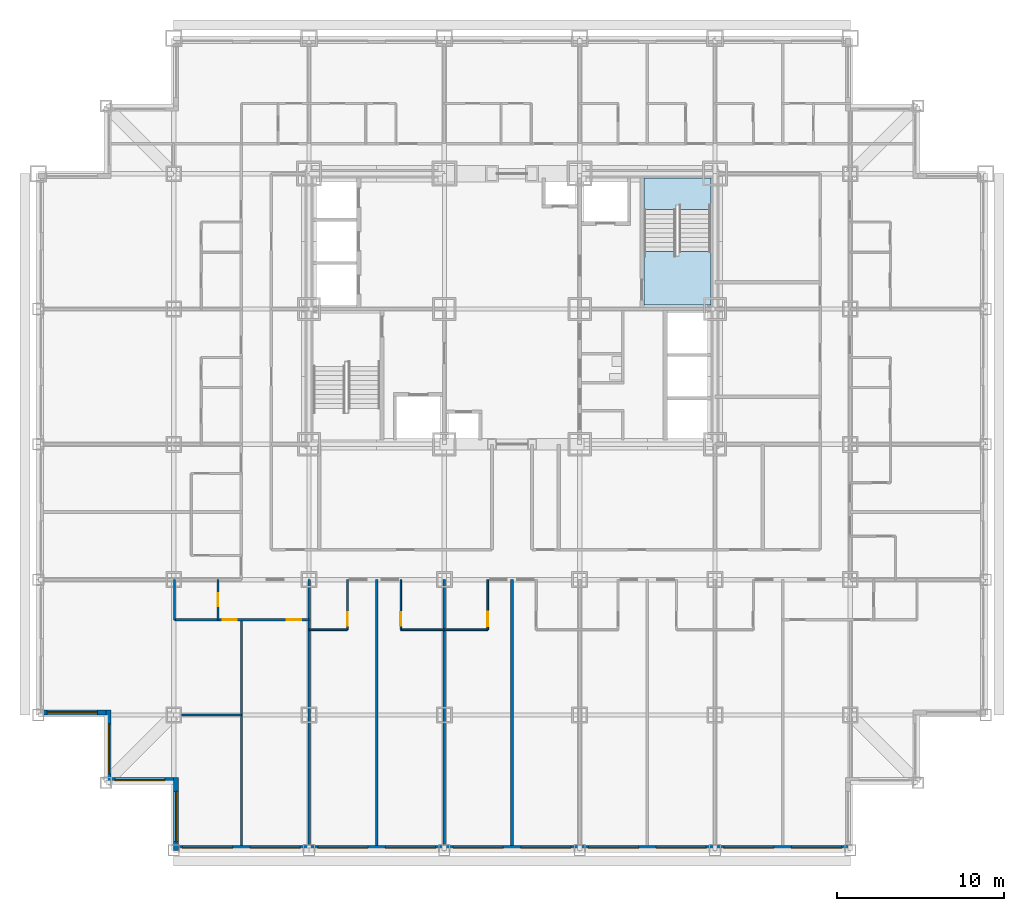
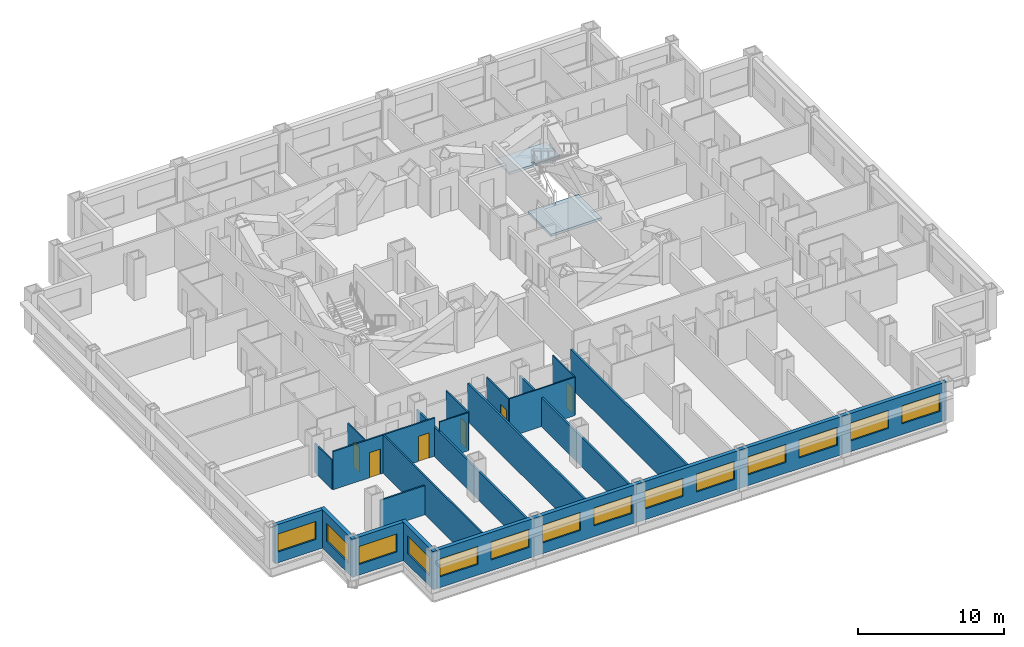
# One storey, part 3 of 12: 19 walls, 14 windows, 6 doors, 2 slabs, 20 openings, 1 element without a shape of its own.
"""IFC4 building model written with IfcOpenShell, lengths in metres."""

from ifc_helpers import new_model, si_unit, direction, frame, frame_2d, origin, place, context, subcontext, project, spatial, polyline, rectangle, outline, extrude, material, layer, layer_set, type_object, element, fill, aggregate, save


model = new_model("IFC4")

# Units and contexts
model_context = context("Model", 3, precision=1e-05, world=origin(), true_north=direction((0.0, 1.0)))
body_context = subcontext(model_context, "Body", "Model", "MODEL_VIEW")
ifc_project = project(units=[si_unit("LENGTHUNIT", "METRE"), si_unit("AREAUNIT", "SQUARE_METRE"), si_unit("VOLUMEUNIT", "CUBIC_METRE"), si_unit("PLANEANGLEUNIT", "RADIAN"), si_unit("MASSUNIT", "GRAM", prefix="KILO")], contexts=[model_context])

# Site, building, storey
site_placement = place(None, origin())
site = spatial("IfcSite", under=ifc_project, at=site_placement, CompositionType="ELEMENT")
building_placement = place(site_placement, origin())
building = spatial("IfcBuilding", under=site, at=building_placement, Name="Kopane Lantern Tower", CompositionType="ELEMENT")
storey_placement = place(building_placement, frame((0.0, 0.0, 80.60009765625)))
storey = spatial("IfcBuildingStorey", under=building, at=storey_placement, Name="L20", CompositionType="ELEMENT", Elevation=80.60009765625)

# Stair, slabs
ifc_material_1 = material(Name="Steel S355JR", Category="steel")
stair_type = type_object("IfcStairType", Name="EXIT STAIR 1900 HALF TURN", PredefinedType="HALF_TURN_STAIR", material=ifc_material_1)
stair_placement = place(storey_placement, origin())
stair = element("IfcStair", 1, at=stair_placement, inside=storey, type_object=stair_type, Name="Exit stair ST2 L20", PredefinedType="HALF_TURN_STAIR")
ifc_material_2 = material(Name="Concrete C40/50", Category="concrete")
ifc_layer_1 = layer(ifc_material_2, 0.199951171875)
ifc_layer_set_1 = layer_set([ifc_layer_1], Name="STAIR LANDING 200")
slab_type = type_object("IfcSlabType", Name="STAIR LANDING 200", PredefinedType="LANDING", material=ifc_layer_set_1)
slab_1_placement = place(storey_placement, frame((0.0, 0.0, -0.2001953125)))
slab_1 = element("IfcSlab", 2, at=slab_1_placement, type_object=slab_type, Name="ST2 landing 1", PredefinedType="LANDING", context=body_context, shape_type="SweptSolid", body=[
    extrude(outline(polyline([(40.25, 35.830078125), (38.35009765625, 35.830078125), (38.35009765625, 35.550048828125), (38.14990234375, 35.550048828125), (38.14990234375, 35.830078125), (36.25, 35.830078125), (36.25, 32.64990234375), (40.25, 32.64990234375), (40.25, 35.830078125)])), origin(), (0.0, 0.0, 1.0), 0.2001953125),
])
slab_2_placement = place(storey_placement, frame((0.0, 0.0, 1.5)))
slab_2 = element("IfcSlab", 3, at=slab_2_placement, type_object=slab_type, Name="ST2 landing 2", PredefinedType="LANDING", context=body_context, shape_type="SweptSolid", body=[
    extrude(outline(polyline([(38.14990234375, 38.6298828125), (38.35009765625, 38.6298828125), (38.35009765625, 38.35009765625), (40.25, 38.35009765625), (40.25, 40.25), (36.25, 40.25), (36.25, 38.35009765625), (38.14990234375, 38.35009765625), (38.14990234375, 38.6298828125)])), origin(), (0.0, 0.0, 1.0), 0.199951171875),
])
aggregate(stair, [slab_1, slab_2])

# Wall, openings, doors
ifc_material_3 = material(Name="Gypsum board on steel studs", Category="steel")
ifc_layer_2 = layer(ifc_material_3, 0.1201171875)
ifc_layer_set_2 = layer_set([ifc_layer_2], Name="APARTMENT INTERNAL WALL 120")
wall_type_1 = type_object("IfcWallType", Name="APARTMENT INTERNAL WALL 120", PredefinedType="PARTITIONING", material=ifc_layer_set_2)
wall_1_placement = place(storey_placement, frame((8.14990234375, 13.800048828125, 0.0), z_axis=(0.0, 0.0, 1.0), x_axis=(1.0, 0.0, 0.0)))
wall_1 = element("IfcWall", 4, at=wall_1_placement, inside=storey, type_object=wall_type_1, Name="Apartment Internal Wall 120 L20", PredefinedType="PARTITIONING", context=body_context, shape_type="SweptSolid", body=[
    extrude(rectangle(XDim=8.050048828125, YDim=0.1201171875, at=frame_2d((4.02490234375, 0.0))), origin(), (0.0, 0.0, 1.0), 3.18994140625),
])
opening_1_placement = place(wall_1_placement, frame((6.72509765625, 0.0, 0.0)))
opening_1 = element("IfcOpeningElement", 5, at=opening_1_placement, cuts=wall_1, Name="Opening L20-060", PredefinedType="OPENING", context=body_context, shape_type="SweptSolid", body=[
    extrude(rectangle(XDim=0.85009765625, YDim=2.10009765625, at=frame_2d((0.425048828125, 1.050048828125))), frame((0.0, 0.070068359375, 0.0), z_axis=(0.0, -1.0, 0.0), x_axis=(1.0, 0.0, 0.0)), (0.0, 0.0, 1.0), 0.14013671875),
])
opening_2_placement = place(wall_1_placement, frame((2.875, 0.0, 0.0)))
opening_2 = element("IfcOpeningElement", 6, at=opening_2_placement, cuts=wall_1, Name="Opening L20-062", PredefinedType="OPENING", context=body_context, shape_type="SweptSolid", body=[
    extrude(rectangle(XDim=0.85009765625, YDim=2.10009765625, at=frame_2d((0.425048828125, 1.050048828125))), frame((0.0, 0.070068359375, 0.0), z_axis=(0.0, -1.0, 0.0), x_axis=(1.0, 0.0, 0.0)), (0.0, 0.0, 1.0), 0.14013671875),
])
ifc_material_4 = material(Name="Timber door set", Category="wood")
door_type_1 = type_object("IfcDoorType", Name="DOOR D4 850x2100", OperationType="SINGLE_SWING_LEFT", PredefinedType="DOOR", material=ifc_material_4)
door_1_placement = place(opening_1_placement, origin())
door_1 = element("IfcDoor", 7, at=door_1_placement, inside=storey, type_object=door_type_1, Name="Door L20-060", OperationType="SINGLE_SWING_RIGHT", OverallHeight=2.10009765625, OverallWidth=0.85009765625, PredefinedType="DOOR", context=body_context, shape_type="SweptSolid", body=[
    extrude(rectangle(XDim=0.85009765625, YDim=2.10009765625, at=frame_2d((0.425048828125, 1.050048828125))), frame((0.0, 0.02490234375, 0.0), z_axis=(0.0, -1.0, 0.0), x_axis=(1.0, 0.0, 0.0)), (0.0, 0.0, 1.0), 0.050048828125),
])
fill(opening_1, door_1)
door_2_placement = place(opening_2_placement, origin())
door_2 = element("IfcDoor", 8, at=door_2_placement, inside=storey, type_object=door_type_1, Name="Door L20-062", OperationType="SINGLE_SWING_LEFT", OverallHeight=2.10009765625, OverallWidth=0.85009765625, PredefinedType="DOOR", context=body_context, shape_type="SweptSolid", body=[
    extrude(rectangle(XDim=0.85009765625, YDim=2.10009765625, at=frame_2d((0.425048828125, 1.050048828125))), frame((0.0, 0.02490234375, 0.0), z_axis=(0.0, -1.0, 0.0), x_axis=(1.0, 0.0, 0.0)), (0.0, 0.0, 1.0), 0.050048828125),
])
fill(opening_2, door_2)

# Walls
wall_2_placement = place(storey_placement, frame((12.14990234375, 13.800048828125, 0.0), z_axis=(0.0, 0.0, 1.0), x_axis=(0.0, -1.0, 0.0)))
element("IfcWall", 9, at=wall_2_placement, inside=storey, type_object=wall_type_1, Name="Apartment Internal Wall 120 L20", PredefinedType="PARTITIONING", context=body_context, shape_type="SweptSolid", body=[
    extrude(rectangle(XDim=13.5, YDim=0.1201171875, at=frame_2d((6.75, 0.0))), origin(), (0.0, 0.0, 1.0), 3.18994140625),
])
wall_3_placement = place(storey_placement, frame((12.14990234375, 8.10009765625, 0.0), z_axis=(0.0, 0.0, 1.0), x_axis=(-1.0, 0.0, 0.0)))
element("IfcWall", 10, at=wall_3_placement, inside=storey, type_object=wall_type_1, Name="Apartment Internal Wall 120 L20", PredefinedType="PARTITIONING", context=body_context, shape_type="SweptSolid", body=[
    extrude(rectangle(XDim=3.574951171875, YDim=0.1201171875, at=frame_2d((1.78759765625, 0.0))), origin(), (0.0, 0.0, 1.0), 2.427734375),
])
ifc_material_5 = material(Name="Moisture-resistant board on steel studs", Category="steel")
ifc_layer_3 = layer(ifc_material_5, 0.10009765625)
ifc_layer_set_3 = layer_set([ifc_layer_3], Name="BATHROOM WALL 100")
wall_type_2 = type_object("IfcWallType", Name="BATHROOM WALL 100", PredefinedType="PARTITIONING", material=ifc_layer_set_3)
wall_4_placement = place(storey_placement, frame((16.199951171875, 13.199951171875, 0.0), z_axis=(0.0, 0.0, 1.0), x_axis=(1.0, 0.0, 0.0)))
element("IfcWall", 11, at=wall_4_placement, inside=storey, type_object=wall_type_2, Name="Bathroom Wall 100 L20", PredefinedType="PARTITIONING", context=body_context, shape_type="SweptSolid", body=[
    extrude(rectangle(XDim=2.300048828125, YDim=0.10009765625, at=frame_2d((1.14990234375, 0.0))), origin(), (0.0, 0.0, 1.0), 3.18994140625),
])

# Wall, opening, door
wall_5_placement = place(storey_placement, frame((18.5, 16.199951171875, 0.0), z_axis=(0.0, 0.0, 1.0), x_axis=(0.0, -1.0, 0.0)))
wall_5 = element("IfcWall", 12, at=wall_5_placement, inside=storey, type_object=wall_type_2, Name="Bathroom Wall 100 L20", PredefinedType="PARTITIONING", context=body_context, shape_type="SweptSolid", body=[
    extrude(rectangle(XDim=3.0, YDim=0.10009765625, at=frame_2d((1.5, 0.0))), origin(), (0.0, 0.0, 1.0), 3.18994140625),
])
opening_3_placement = place(wall_5_placement, frame((1.949951171875, 0.0, 0.0)))
opening_3 = element("IfcOpeningElement", 13, at=opening_3_placement, cuts=wall_5, Name="Opening L20-013", PredefinedType="OPENING", context=body_context, shape_type="SweptSolid", body=[
    extrude(rectangle(XDim=0.800048828125, YDim=2.10009765625, at=frame_2d((0.39990234375, 1.050048828125))), frame((0.0, 0.06005859375, 0.0), z_axis=(0.0, -1.0, 0.0), x_axis=(1.0, 0.0, 0.0)), (0.0, 0.0, 1.0), 0.1201171875),
])
ifc_material_6 = material(Name="Timber door set", Category="wood")
door_type_2 = type_object("IfcDoorType", Name="DOOR D2 800x2100", OperationType="SINGLE_SWING_LEFT", PredefinedType="DOOR", material=ifc_material_6)
door_3_placement = place(opening_3_placement, origin())
door_3 = element("IfcDoor", 14, at=door_3_placement, inside=storey, type_object=door_type_2, Name="Door L20-013", OperationType="SINGLE_SWING_LEFT", OverallHeight=2.10009765625, OverallWidth=0.800048828125, PredefinedType="DOOR", context=body_context, shape_type="SweptSolid", body=[
    extrude(rectangle(XDim=0.800048828125, YDim=2.10009765625, at=frame_2d((0.39990234375, 1.050048828125))), frame((0.0, 0.02490234375, 0.0), z_axis=(0.0, -1.0, 0.0), x_axis=(1.0, 0.0, 0.0)), (0.0, 0.0, 1.0), 0.050048828125),
])
fill(opening_3, door_3)

# Wall
wall_6_placement = place(storey_placement, frame((21.699951171875, 13.199951171875, 0.0), z_axis=(0.0, 0.0, 1.0), x_axis=(1.0, 0.0, 0.0)))
element("IfcWall", 15, at=wall_6_placement, inside=storey, type_object=wall_type_2, Name="Bathroom Wall 100 L20", PredefinedType="PARTITIONING", context=body_context, shape_type="SweptSolid", body=[
    extrude(rectangle(XDim=5.199951171875, YDim=0.10009765625, at=frame_2d((2.60009765625, 0.0))), origin(), (0.0, 0.0, 1.0), 3.18994140625),
])

# Wall, opening, door
wall_7_placement = place(storey_placement, frame((21.699951171875, 16.199951171875, 0.0), z_axis=(0.0, 0.0, 1.0), x_axis=(0.0, -1.0, 0.0)))
wall_7 = element("IfcWall", 16, at=wall_7_placement, inside=storey, type_object=wall_type_2, Name="Bathroom Wall 100 L20", PredefinedType="PARTITIONING", context=body_context, shape_type="SweptSolid", body=[
    extrude(rectangle(XDim=3.0, YDim=0.10009765625, at=frame_2d((1.5, 0.0))), origin(), (0.0, 0.0, 1.0), 3.18994140625),
])
opening_4_placement = place(wall_7_placement, frame((1.949951171875, 0.0, 0.0)))
opening_4 = element("IfcOpeningElement", 17, at=opening_4_placement, cuts=wall_7, Name="Opening L20-015", PredefinedType="OPENING", context=body_context, shape_type="SweptSolid", body=[
    extrude(rectangle(XDim=0.800048828125, YDim=2.10009765625, at=frame_2d((0.39990234375, 1.050048828125))), frame((0.0, 0.06005859375, 0.0), z_axis=(0.0, -1.0, 0.0), x_axis=(1.0, 0.0, 0.0)), (0.0, 0.0, 1.0), 0.1201171875),
])
door_4_placement = place(opening_4_placement, origin())
door_4 = element("IfcDoor", 18, at=door_4_placement, inside=storey, type_object=door_type_2, Name="Door L20-015", OperationType="SINGLE_SWING_RIGHT", OverallHeight=2.10009765625, OverallWidth=0.800048828125, PredefinedType="DOOR", context=body_context, shape_type="SweptSolid", body=[
    extrude(rectangle(XDim=0.800048828125, YDim=2.10009765625, at=frame_2d((0.39990234375, 1.050048828125))), frame((0.0, 0.02490234375, 0.0), z_axis=(0.0, -1.0, 0.0), x_axis=(1.0, 0.0, 0.0)), (0.0, 0.0, 1.0), 0.050048828125),
])
fill(opening_4, door_4)

wall_8_placement = place(storey_placement, frame((26.89990234375, 16.199951171875, 0.0), z_axis=(0.0, 0.0, 1.0), x_axis=(0.0, -1.0, 0.0)))
wall_8 = element("IfcWall", 19, at=wall_8_placement, inside=storey, type_object=wall_type_2, Name="Bathroom Wall 100 L20", PredefinedType="PARTITIONING", context=body_context, shape_type="SweptSolid", body=[
    extrude(rectangle(XDim=3.0, YDim=0.10009765625, at=frame_2d((1.5, 0.0))), origin(), (0.0, 0.0, 1.0), 3.18994140625),
])
opening_5_placement = place(wall_8_placement, frame((1.925048828125, 0.0, 0.0)))
opening_5 = element("IfcOpeningElement", 20, at=opening_5_placement, cuts=wall_8, Name="Opening L20-017", PredefinedType="OPENING", context=body_context, shape_type="SweptSolid", body=[
    extrude(rectangle(XDim=0.85009765625, YDim=2.10009765625, at=frame_2d((0.425048828125, 1.050048828125))), frame((0.0, 0.06005859375, 0.0), z_axis=(0.0, -1.0, 0.0), x_axis=(1.0, 0.0, 0.0)), (0.0, 0.0, 1.0), 0.1201171875),
])
door_5_placement = place(opening_5_placement, origin())
door_5 = element("IfcDoor", 21, at=door_5_placement, inside=storey, type_object=door_type_1, Name="Door L20-017", OperationType="SINGLE_SWING_LEFT", OverallHeight=2.10009765625, OverallWidth=0.85009765625, PredefinedType="DOOR", context=body_context, shape_type="SweptSolid", body=[
    extrude(rectangle(XDim=0.85009765625, YDim=2.10009765625, at=frame_2d((0.425048828125, 1.050048828125))), frame((0.0, 0.02490234375, 0.0), z_axis=(0.0, -1.0, 0.0), x_axis=(1.0, 0.0, 0.0)), (0.0, 0.0, 1.0), 0.050048828125),
])
fill(opening_5, door_5)

wall_9_placement = place(storey_placement, frame((10.75, 16.199951171875, 0.0), z_axis=(0.0, 0.0, 1.0), x_axis=(0.0, -1.0, 0.0)))
wall_9 = element("IfcWall", 22, at=wall_9_placement, inside=storey, type_object=wall_type_2, Name="Bathroom Wall 100 L20", PredefinedType="PARTITIONING", context=body_context, shape_type="SweptSolid", body=[
    extrude(rectangle(XDim=2.39990234375, YDim=0.10009765625, at=frame_2d((1.199951171875, 0.0))), origin(), (0.0, 0.0, 1.0), 3.18994140625),
])
opening_6_placement = place(wall_9_placement, frame((0.800048828125, 0.0, 0.0)))
opening_6 = element("IfcOpeningElement", 23, at=opening_6_placement, cuts=wall_9, Name="Opening L20-061", PredefinedType="OPENING", context=body_context, shape_type="SweptSolid", body=[
    extrude(rectangle(XDim=0.800048828125, YDim=2.10009765625, at=frame_2d((0.39990234375, 1.050048828125))), frame((0.0, 0.06005859375, 0.0), z_axis=(0.0, -1.0, 0.0), x_axis=(1.0, 0.0, 0.0)), (0.0, 0.0, 1.0), 0.1201171875),
])
door_6_placement = place(opening_6_placement, origin())
door_6 = element("IfcDoor", 24, at=door_6_placement, inside=storey, type_object=door_type_2, Name="Door L20-061", OperationType="SINGLE_SWING_RIGHT", OverallHeight=2.10009765625, OverallWidth=0.800048828125, PredefinedType="DOOR", context=body_context, shape_type="SweptSolid", body=[
    extrude(rectangle(XDim=0.800048828125, YDim=2.10009765625, at=frame_2d((0.39990234375, 1.050048828125))), frame((0.0, 0.02490234375, 0.0), z_axis=(0.0, -1.0, 0.0), x_axis=(1.0, 0.0, 0.0)), (0.0, 0.0, 1.0), 0.050048828125),
])
fill(opening_6, door_6)

# Walls
wall_10_placement = place(storey_placement, frame((8.14990234375, 16.199951171875, 0.0), z_axis=(0.0, 0.0, 1.0), x_axis=(0.0, -1.0, 0.0)))
element("IfcWall", 25, at=wall_10_placement, inside=storey, type_object=wall_type_2, Name="Bathroom Wall 100 L20", PredefinedType="PARTITIONING", context=body_context, shape_type="SweptSolid", body=[
    extrude(rectangle(XDim=2.39990234375, YDim=0.10009765625, at=frame_2d((1.199951171875, 0.0))), origin(), (0.0, 0.0, 1.0), 2.427734375),
])
ifc_material_7 = material(Name="Gypsum board on steel studs", Category="steel")
ifc_layer_4 = layer(ifc_material_7, 0.14990234375)
ifc_layer_set_4 = layer_set([ifc_layer_4], Name="DEMISING WALL 150 EI 60")
wall_type_3 = type_object("IfcWallType", Name="DEMISING WALL 150 EI 60", PredefinedType="PARTITIONING", material=ifc_layer_set_4)
wall_11_placement = place(storey_placement, frame((20.25, 16.199951171875, 0.0), z_axis=(0.0, 0.0, 1.0), x_axis=(0.0, -1.0, 0.0)))
element("IfcWall", 26, at=wall_11_placement, inside=storey, type_object=wall_type_3, Name="Demising Wall 150 Ei 60 L20", PredefinedType="PARTITIONING", context=body_context, shape_type="SweptSolid", body=[
    extrude(rectangle(XDim=15.89990234375, YDim=0.14990234375, at=frame_2d((7.949951171875, 0.0))), origin(), (0.0, 0.0, 1.0), 3.18994140625),
])
wall_12_placement = place(storey_placement, frame((24.300048828125, 16.199951171875, 0.0), z_axis=(0.0, 0.0, 1.0), x_axis=(0.0, -1.0, 0.0)))
element("IfcWall", 27, at=wall_12_placement, inside=storey, type_object=wall_type_3, Name="Demising Wall 150 Ei 60 L20", PredefinedType="PARTITIONING", context=body_context, shape_type="SweptSolid", body=[
    extrude(rectangle(XDim=15.89990234375, YDim=0.14990234375, at=frame_2d((7.949951171875, 0.0))), origin(), (0.0, 0.0, 1.0), 2.427734375),
])
wall_13_placement = place(storey_placement, frame((28.35009765625, 16.199951171875, 0.0), z_axis=(0.0, 0.0, 1.0), x_axis=(0.0, -1.0, 0.0)))
element("IfcWall", 28, at=wall_13_placement, inside=storey, type_object=wall_type_3, Name="Demising Wall 150 Ei 60 L20", PredefinedType="PARTITIONING", context=body_context, shape_type="SweptSolid", body=[
    extrude(rectangle(XDim=15.89990234375, YDim=0.14990234375, at=frame_2d((7.949951171875, 0.0))), origin(), (0.0, 0.0, 1.0), 3.18994140625),
])
wall_14_placement = place(storey_placement, frame((16.199951171875, 16.199951171875, 0.0), z_axis=(0.0, 0.0, 1.0), x_axis=(0.0, -1.0, 0.0)))
element("IfcWall", 29, at=wall_14_placement, inside=storey, type_object=wall_type_3, Name="Demising Wall 150 Ei 60 L20", PredefinedType="PARTITIONING", context=body_context, shape_type="SweptSolid", body=[
    extrude(rectangle(XDim=15.89990234375, YDim=0.14990234375, at=frame_2d((7.949951171875, 0.0))), origin(), (0.0, 0.0, 1.0), 2.427734375),
])

# Wall, openings, windows
ifc_material_8 = material(Name="Terracotta rainscreen on light steel framing", Category="masonry")
ifc_layer_5 = layer(ifc_material_8, 0.300048828125)
ifc_layer_set_5 = layer_set([ifc_layer_5], Name="EXTERNAL WALL EW1 300 TERRACOTTA")
wall_type_4 = type_object("IfcWallType", Name="EXTERNAL WALL EW1 300 TERRACOTTA", PredefinedType="SOLIDWALL", material=ifc_layer_set_5)
wall_15_placement = place(storey_placement, frame((8.39990234375, 0.14990234375, 0.0), z_axis=(0.0, 0.0, 1.0), x_axis=(1.0, 0.0, 0.0)))
wall_15 = element("IfcWall", 30, at=wall_15_placement, inside=storey, type_object=wall_type_4, Name="External wall S L20", PredefinedType="SOLIDWALL", context=body_context, shape_type="SweptSolid", body=[
    extrude(rectangle(XDim=40.2001953125, YDim=0.300048828125, at=frame_2d((20.10009765625, 0.0))), origin(), (0.0, 0.0, 1.0), 3.18994140625),
])
opening_7_placement = place(wall_15_placement, frame((0.22509765625, 0.0, 0.89990234375)))
opening_7 = element("IfcOpeningElement", 31, at=opening_7_placement, cuts=wall_15, Name="Opening WR300150", PredefinedType="OPENING", context=body_context, shape_type="SweptSolid", body=[
    extrude(rectangle(XDim=3.0, YDim=1.5, at=frame_2d((1.5, 0.75))), frame((0.0, 0.159912109375, 0.0), z_axis=(0.0, -1.0, 0.0), x_axis=(1.0, 0.0, 0.0)), (0.0, 0.0, 1.0), 0.320068359375),
])
opening_8_placement = place(wall_15_placement, frame((4.27490234375, 0.0, 0.89990234375)))
opening_8 = element("IfcOpeningElement", 32, at=opening_8_placement, cuts=wall_15, Name="Opening WR300150", PredefinedType="OPENING", context=body_context, shape_type="SweptSolid", body=[
    extrude(rectangle(XDim=3.0, YDim=1.5, at=frame_2d((1.5, 0.75))), frame((0.0, 0.159912109375, 0.0), z_axis=(0.0, -1.0, 0.0), x_axis=(1.0, 0.0, 0.0)), (0.0, 0.0, 1.0), 0.320068359375),
])
opening_9_placement = place(wall_15_placement, frame((8.324951171875, 0.0, 0.89990234375)))
opening_9 = element("IfcOpeningElement", 33, at=opening_9_placement, cuts=wall_15, Name="Opening WR300150", PredefinedType="OPENING", context=body_context, shape_type="SweptSolid", body=[
    extrude(rectangle(XDim=3.0, YDim=1.5, at=frame_2d((1.5, 0.75))), frame((0.0, 0.159912109375, 0.0), z_axis=(0.0, -1.0, 0.0), x_axis=(1.0, 0.0, 0.0)), (0.0, 0.0, 1.0), 0.320068359375),
])
opening_10_placement = place(wall_15_placement, frame((12.375, 0.0, 0.89990234375)))
opening_10 = element("IfcOpeningElement", 34, at=opening_10_placement, cuts=wall_15, Name="Opening WR300150", PredefinedType="OPENING", context=body_context, shape_type="SweptSolid", body=[
    extrude(rectangle(XDim=3.0, YDim=1.5, at=frame_2d((1.5, 0.75))), frame((0.0, 0.159912109375, 0.0), z_axis=(0.0, -1.0, 0.0), x_axis=(1.0, 0.0, 0.0)), (0.0, 0.0, 1.0), 0.320068359375),
])
opening_11_placement = place(wall_15_placement, frame((16.425048828125, 0.0, 0.89990234375)))
opening_11 = element("IfcOpeningElement", 35, at=opening_11_placement, cuts=wall_15, Name="Opening WR300150", PredefinedType="OPENING", context=body_context, shape_type="SweptSolid", body=[
    extrude(rectangle(XDim=3.0, YDim=1.5, at=frame_2d((1.5, 0.75))), frame((0.0, 0.159912109375, 0.0), z_axis=(0.0, -1.0, 0.0), x_axis=(1.0, 0.0, 0.0)), (0.0, 0.0, 1.0), 0.320068359375),
])
opening_12_placement = place(wall_15_placement, frame((20.47509765625, 0.0, 0.89990234375)))
opening_12 = element("IfcOpeningElement", 36, at=opening_12_placement, cuts=wall_15, Name="Opening WR300150", PredefinedType="OPENING", context=body_context, shape_type="SweptSolid", body=[
    extrude(rectangle(XDim=3.0, YDim=1.5, at=frame_2d((1.5, 0.75))), frame((0.0, 0.159912109375, 0.0), z_axis=(0.0, -1.0, 0.0), x_axis=(1.0, 0.0, 0.0)), (0.0, 0.0, 1.0), 0.320068359375),
])
opening_13_placement = place(wall_15_placement, frame((24.52490234375, 0.0, 0.89990234375)))
opening_13 = element("IfcOpeningElement", 37, at=opening_13_placement, cuts=wall_15, Name="Opening WR300150", PredefinedType="OPENING", context=body_context, shape_type="SweptSolid", body=[
    extrude(rectangle(XDim=3.0, YDim=1.5, at=frame_2d((1.5, 0.75))), frame((0.0, 0.159912109375, 0.0), z_axis=(0.0, -1.0, 0.0), x_axis=(1.0, 0.0, 0.0)), (0.0, 0.0, 1.0), 0.320068359375),
])
opening_14_placement = place(wall_15_placement, frame((28.574951171875, 0.0, 0.89990234375)))
opening_14 = element("IfcOpeningElement", 38, at=opening_14_placement, cuts=wall_15, Name="Opening WR300150", PredefinedType="OPENING", context=body_context, shape_type="SweptSolid", body=[
    extrude(rectangle(XDim=3.0, YDim=1.5, at=frame_2d((1.5, 0.75))), frame((0.0, 0.159912109375, 0.0), z_axis=(0.0, -1.0, 0.0), x_axis=(1.0, 0.0, 0.0)), (0.0, 0.0, 1.0), 0.320068359375),
])
opening_15_placement = place(wall_15_placement, frame((32.625, 0.0, 0.89990234375)))
opening_15 = element("IfcOpeningElement", 39, at=opening_15_placement, cuts=wall_15, Name="Opening WR300150", PredefinedType="OPENING", context=body_context, shape_type="SweptSolid", body=[
    extrude(rectangle(XDim=3.0, YDim=1.5, at=frame_2d((1.5, 0.75))), frame((0.0, 0.159912109375, 0.0), z_axis=(0.0, -1.0, 0.0), x_axis=(1.0, 0.0, 0.0)), (0.0, 0.0, 1.0), 0.320068359375),
])
opening_16_placement = place(wall_15_placement, frame((36.675048828125, 0.0, 0.89990234375)))
opening_16 = element("IfcOpeningElement", 40, at=opening_16_placement, cuts=wall_15, Name="Opening WR300150", PredefinedType="OPENING", context=body_context, shape_type="SweptSolid", body=[
    extrude(rectangle(XDim=3.0, YDim=1.5, at=frame_2d((1.5, 0.75))), frame((0.0, 0.159912109375, 0.0), z_axis=(0.0, -1.0, 0.0), x_axis=(1.0, 0.0, 0.0)), (0.0, 0.0, 1.0), 0.320068359375),
])
ifc_material_9 = material(Name="Aluminium and clear glass", Category="aluminium")
window_type = type_object("IfcWindowType", Name="RIBBON WINDOW WR300150 3000x1500", PartitioningType="SINGLE_PANEL", PredefinedType="WINDOW", material=ifc_material_9)
window_1_placement = place(opening_7_placement, origin())
window_1 = element("IfcWindow", 41, at=window_1_placement, inside=storey, type_object=window_type, Name="Window S L20", OverallHeight=1.5, OverallWidth=3.0, PartitioningType="SINGLE_PANEL", PredefinedType="WINDOW", context=body_context, shape_type="SweptSolid", body=[
    extrude(rectangle(XDim=3.0, YDim=1.5, at=frame_2d((1.5, 0.75))), frame((0.0, 0.030029296875, 0.0), z_axis=(0.0, -1.0, 0.0), x_axis=(1.0, 0.0, 0.0)), (0.0, 0.0, 1.0), 0.06005859375),
])
fill(opening_7, window_1)
window_2_placement = place(opening_8_placement, origin())
window_2 = element("IfcWindow", 42, at=window_2_placement, inside=storey, type_object=window_type, Name="Window S L20", OverallHeight=1.5, OverallWidth=3.0, PartitioningType="SINGLE_PANEL", PredefinedType="WINDOW", context=body_context, shape_type="SweptSolid", body=[
    extrude(rectangle(XDim=3.0, YDim=1.5, at=frame_2d((1.5, 0.75))), frame((0.0, 0.030029296875, 0.0), z_axis=(0.0, -1.0, 0.0), x_axis=(1.0, 0.0, 0.0)), (0.0, 0.0, 1.0), 0.06005859375),
])
fill(opening_8, window_2)
window_3_placement = place(opening_9_placement, origin())
window_3 = element("IfcWindow", 43, at=window_3_placement, inside=storey, type_object=window_type, Name="Window S L20", OverallHeight=1.5, OverallWidth=3.0, PartitioningType="SINGLE_PANEL", PredefinedType="WINDOW", context=body_context, shape_type="SweptSolid", body=[
    extrude(rectangle(XDim=3.0, YDim=1.5, at=frame_2d((1.5, 0.75))), frame((0.0, 0.030029296875, 0.0), z_axis=(0.0, -1.0, 0.0), x_axis=(1.0, 0.0, 0.0)), (0.0, 0.0, 1.0), 0.06005859375),
])
fill(opening_9, window_3)
window_4_placement = place(opening_10_placement, origin())
window_4 = element("IfcWindow", 44, at=window_4_placement, inside=storey, type_object=window_type, Name="Window S L20", OverallHeight=1.5, OverallWidth=3.0, PartitioningType="SINGLE_PANEL", PredefinedType="WINDOW", context=body_context, shape_type="SweptSolid", body=[
    extrude(rectangle(XDim=3.0, YDim=1.5, at=frame_2d((1.5, 0.75))), frame((0.0, 0.030029296875, 0.0), z_axis=(0.0, -1.0, 0.0), x_axis=(1.0, 0.0, 0.0)), (0.0, 0.0, 1.0), 0.06005859375),
])
fill(opening_10, window_4)
window_5_placement = place(opening_11_placement, origin())
window_5 = element("IfcWindow", 45, at=window_5_placement, inside=storey, type_object=window_type, Name="Window S L20", OverallHeight=1.5, OverallWidth=3.0, PartitioningType="SINGLE_PANEL", PredefinedType="WINDOW", context=body_context, shape_type="SweptSolid", body=[
    extrude(rectangle(XDim=3.0, YDim=1.5, at=frame_2d((1.5, 0.75))), frame((0.0, 0.030029296875, 0.0), z_axis=(0.0, -1.0, 0.0), x_axis=(1.0, 0.0, 0.0)), (0.0, 0.0, 1.0), 0.06005859375),
])
fill(opening_11, window_5)
window_6_placement = place(opening_12_placement, origin())
window_6 = element("IfcWindow", 46, at=window_6_placement, inside=storey, type_object=window_type, Name="Window S L20", OverallHeight=1.5, OverallWidth=3.0, PartitioningType="SINGLE_PANEL", PredefinedType="WINDOW", context=body_context, shape_type="SweptSolid", body=[
    extrude(rectangle(XDim=3.0, YDim=1.5, at=frame_2d((1.5, 0.75))), frame((0.0, 0.030029296875, 0.0), z_axis=(0.0, -1.0, 0.0), x_axis=(1.0, 0.0, 0.0)), (0.0, 0.0, 1.0), 0.06005859375),
])
fill(opening_12, window_6)
window_7_placement = place(opening_13_placement, origin())
window_7 = element("IfcWindow", 47, at=window_7_placement, inside=storey, type_object=window_type, Name="Window S L20", OverallHeight=1.5, OverallWidth=3.0, PartitioningType="SINGLE_PANEL", PredefinedType="WINDOW", context=body_context, shape_type="SweptSolid", body=[
    extrude(rectangle(XDim=3.0, YDim=1.5, at=frame_2d((1.5, 0.75))), frame((0.0, 0.030029296875, 0.0), z_axis=(0.0, -1.0, 0.0), x_axis=(1.0, 0.0, 0.0)), (0.0, 0.0, 1.0), 0.06005859375),
])
fill(opening_13, window_7)
window_8_placement = place(opening_14_placement, origin())
window_8 = element("IfcWindow", 48, at=window_8_placement, inside=storey, type_object=window_type, Name="Window S L20", OverallHeight=1.5, OverallWidth=3.0, PartitioningType="SINGLE_PANEL", PredefinedType="WINDOW", context=body_context, shape_type="SweptSolid", body=[
    extrude(rectangle(XDim=3.0, YDim=1.5, at=frame_2d((1.5, 0.75))), frame((0.0, 0.030029296875, 0.0), z_axis=(0.0, -1.0, 0.0), x_axis=(1.0, 0.0, 0.0)), (0.0, 0.0, 1.0), 0.06005859375),
])
fill(opening_14, window_8)
window_9_placement = place(opening_15_placement, origin())
window_9 = element("IfcWindow", 49, at=window_9_placement, inside=storey, type_object=window_type, Name="Window S L20", OverallHeight=1.5, OverallWidth=3.0, PartitioningType="SINGLE_PANEL", PredefinedType="WINDOW", context=body_context, shape_type="SweptSolid", body=[
    extrude(rectangle(XDim=3.0, YDim=1.5, at=frame_2d((1.5, 0.75))), frame((0.0, 0.030029296875, 0.0), z_axis=(0.0, -1.0, 0.0), x_axis=(1.0, 0.0, 0.0)), (0.0, 0.0, 1.0), 0.06005859375),
])
fill(opening_15, window_9)
window_10_placement = place(opening_16_placement, origin())
window_10 = element("IfcWindow", 50, at=window_10_placement, inside=storey, type_object=window_type, Name="Window S L20", OverallHeight=1.5, OverallWidth=3.0, PartitioningType="SINGLE_PANEL", PredefinedType="WINDOW", context=body_context, shape_type="SweptSolid", body=[
    extrude(rectangle(XDim=3.0, YDim=1.5, at=frame_2d((1.5, 0.75))), frame((0.0, 0.030029296875, 0.0), z_axis=(0.0, -1.0, 0.0), x_axis=(1.0, 0.0, 0.0)), (0.0, 0.0, 1.0), 0.06005859375),
])
fill(opening_16, window_10)

# Wall, opening, window
wall_16_placement = place(storey_placement, frame((0.300048828125, 8.25, 0.0), z_axis=(0.0, 0.0, 1.0), x_axis=(1.0, 0.0, 0.0)))
wall_16 = element("IfcWall", 51, at=wall_16_placement, inside=storey, type_object=wall_type_4, Name="External wall S L20", PredefinedType="SOLIDWALL", context=body_context, shape_type="SweptSolid", body=[
    extrude(rectangle(XDim=3.75, YDim=0.300048828125, at=frame_2d((1.875, 0.0))), origin(), (0.0, 0.0, 1.0), 3.18994140625),
])
opening_17_placement = place(wall_16_placement, frame((0.22509765625, 0.0, 0.89990234375)))
opening_17 = element("IfcOpeningElement", 52, at=opening_17_placement, cuts=wall_16, Name="Opening WR300150", PredefinedType="OPENING", context=body_context, shape_type="SweptSolid", body=[
    extrude(rectangle(XDim=3.0, YDim=1.5, at=frame_2d((1.5, 0.75))), frame((0.0, 0.159912109375, 0.0), z_axis=(0.0, -1.0, 0.0), x_axis=(1.0, 0.0, 0.0)), (0.0, 0.0, 1.0), 0.320068359375),
])
window_11_placement = place(opening_17_placement, origin())
window_11 = element("IfcWindow", 53, at=window_11_placement, inside=storey, type_object=window_type, Name="Window S L20", OverallHeight=1.5, OverallWidth=3.0, PartitioningType="SINGLE_PANEL", PredefinedType="WINDOW", context=body_context, shape_type="SweptSolid", body=[
    extrude(rectangle(XDim=3.0, YDim=1.5, at=frame_2d((1.5, 0.75))), frame((0.0, 0.030029296875, 0.0), z_axis=(0.0, -1.0, 0.0), x_axis=(1.0, 0.0, 0.0)), (0.0, 0.0, 1.0), 0.06005859375),
])
fill(opening_17, window_11)

wall_17_placement = place(storey_placement, frame((4.199951171875, 8.39990234375, 0.0), z_axis=(0.0, 0.0, 1.0), x_axis=(0.0, -1.0, 0.0)))
wall_17 = element("IfcWall", 54, at=wall_17_placement, inside=storey, type_object=wall_type_4, Name="External wall W L20", PredefinedType="SOLIDWALL", context=body_context, shape_type="SweptSolid", body=[
    extrude(rectangle(XDim=4.349853515625, YDim=0.300048828125, at=frame_2d((2.1748046875, 0.0))), origin(), (0.0, 0.0, 1.0), 3.18994140625),
])
opening_18_placement = place(wall_17_placement, frame((0.824951171875, 0.0, 0.89990234375)))
opening_18 = element("IfcOpeningElement", 55, at=opening_18_placement, cuts=wall_17, Name="Opening WR300150", PredefinedType="OPENING", context=body_context, shape_type="SweptSolid", body=[
    extrude(rectangle(XDim=3.0, YDim=1.5, at=frame_2d((1.5, 0.75))), frame((0.0, 0.159912109375, 0.0), z_axis=(0.0, -1.0, 0.0), x_axis=(1.0, 0.0, 0.0)), (0.0, 0.0, 1.0), 0.320068359375),
])
window_12_placement = place(opening_18_placement, origin())
window_12 = element("IfcWindow", 56, at=window_12_placement, inside=storey, type_object=window_type, Name="Window W L20", OverallHeight=1.5, OverallWidth=3.0, PartitioningType="SINGLE_PANEL", PredefinedType="WINDOW", context=body_context, shape_type="SweptSolid", body=[
    extrude(rectangle(XDim=3.0, YDim=1.5, at=frame_2d((1.5, 0.75))), frame((0.0, 0.030029296875, 0.0), z_axis=(0.0, -1.0, 0.0), x_axis=(1.0, 0.0, 0.0)), (0.0, 0.0, 1.0), 0.06005859375),
])
fill(opening_18, window_12)

wall_18_placement = place(storey_placement, frame((4.35009765625, 4.199951171875, 0.0), z_axis=(0.0, 0.0, 1.0), x_axis=(1.0, 0.0, 0.0)))
wall_18 = element("IfcWall", 57, at=wall_18_placement, inside=storey, type_object=wall_type_4, Name="External wall S L20", PredefinedType="SOLIDWALL", context=body_context, shape_type="SweptSolid", body=[
    extrude(rectangle(XDim=3.75, YDim=0.300048828125, at=frame_2d((1.875, 0.0))), origin(), (0.0, 0.0, 1.0), 3.18994140625),
])
opening_19_placement = place(wall_18_placement, frame((0.22509765625, 0.0, 0.89990234375)))
opening_19 = element("IfcOpeningElement", 58, at=opening_19_placement, cuts=wall_18, Name="Opening WR300150", PredefinedType="OPENING", context=body_context, shape_type="SweptSolid", body=[
    extrude(rectangle(XDim=3.0, YDim=1.5, at=frame_2d((1.5, 0.75))), frame((0.0, 0.159912109375, 0.0), z_axis=(0.0, -1.0, 0.0), x_axis=(1.0, 0.0, 0.0)), (0.0, 0.0, 1.0), 0.320068359375),
])
window_13_placement = place(opening_19_placement, origin())
window_13 = element("IfcWindow", 59, at=window_13_placement, inside=storey, type_object=window_type, Name="Window S L20", OverallHeight=1.5, OverallWidth=3.0, PartitioningType="SINGLE_PANEL", PredefinedType="WINDOW", context=body_context, shape_type="SweptSolid", body=[
    extrude(rectangle(XDim=3.0, YDim=1.5, at=frame_2d((1.5, 0.75))), frame((0.0, 0.030029296875, 0.0), z_axis=(0.0, -1.0, 0.0), x_axis=(1.0, 0.0, 0.0)), (0.0, 0.0, 1.0), 0.06005859375),
])
fill(opening_19, window_13)

wall_19_placement = place(storey_placement, frame((8.25, 4.35009765625, 0.0), z_axis=(0.0, 0.0, 1.0), x_axis=(0.0, -1.0, 0.0)))
wall_19 = element("IfcWall", 60, at=wall_19_placement, inside=storey, type_object=wall_type_4, Name="External wall W L20", PredefinedType="SOLIDWALL", context=body_context, shape_type="SweptSolid", body=[
    extrude(rectangle(XDim=4.35009765625, YDim=0.300048828125, at=frame_2d((2.175048828125, 0.0))), origin(), (0.0, 0.0, 1.0), 3.18994140625),
])
opening_20_placement = place(wall_19_placement, frame((0.824951171875, 0.0, 0.89990234375)))
opening_20 = element("IfcOpeningElement", 61, at=opening_20_placement, cuts=wall_19, Name="Opening WR300150", PredefinedType="OPENING", context=body_context, shape_type="SweptSolid", body=[
    extrude(rectangle(XDim=3.0, YDim=1.5, at=frame_2d((1.5, 0.75))), frame((0.0, 0.159912109375, 0.0), z_axis=(0.0, -1.0, 0.0), x_axis=(1.0, 0.0, 0.0)), (0.0, 0.0, 1.0), 0.320068359375),
])
window_14_placement = place(opening_20_placement, origin())
window_14 = element("IfcWindow", 62, at=window_14_placement, inside=storey, type_object=window_type, Name="Window W L20", OverallHeight=1.5, OverallWidth=3.0, PartitioningType="SINGLE_PANEL", PredefinedType="WINDOW", context=body_context, shape_type="SweptSolid", body=[
    extrude(rectangle(XDim=3.0, YDim=1.5, at=frame_2d((1.5, 0.75))), frame((0.0, 0.030029296875, 0.0), z_axis=(0.0, -1.0, 0.0), x_axis=(1.0, 0.0, 0.0)), (0.0, 0.0, 1.0), 0.06005859375),
])
fill(opening_20, window_14)

save(model, "model.ifc")
